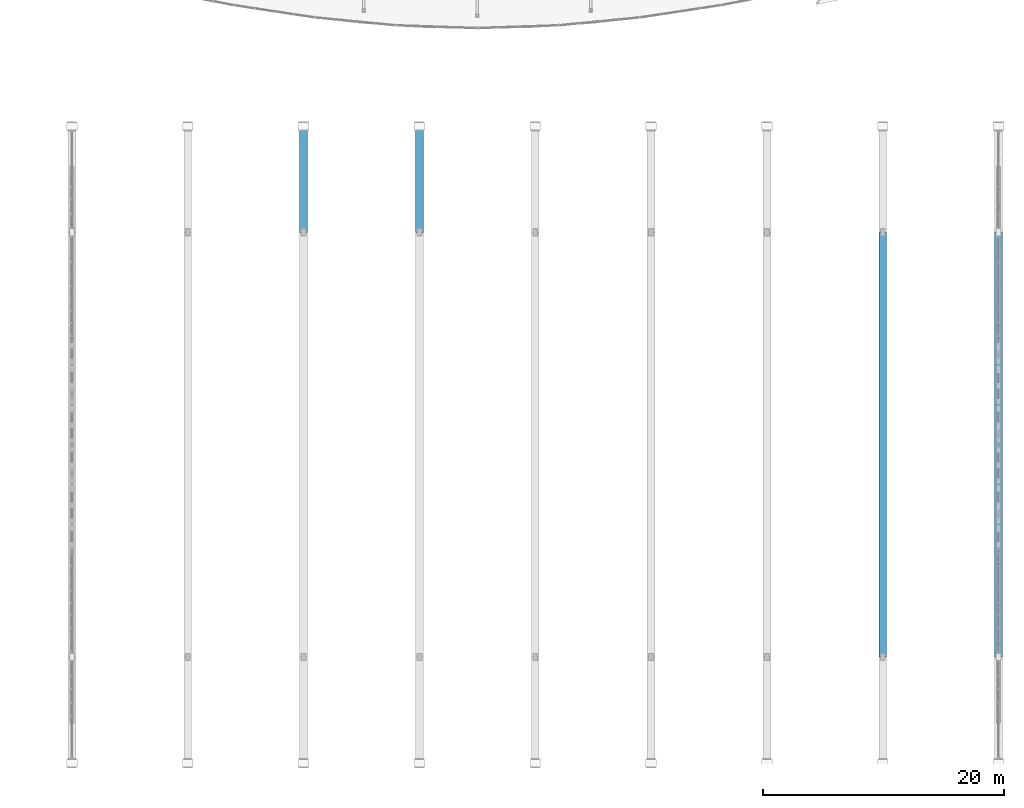
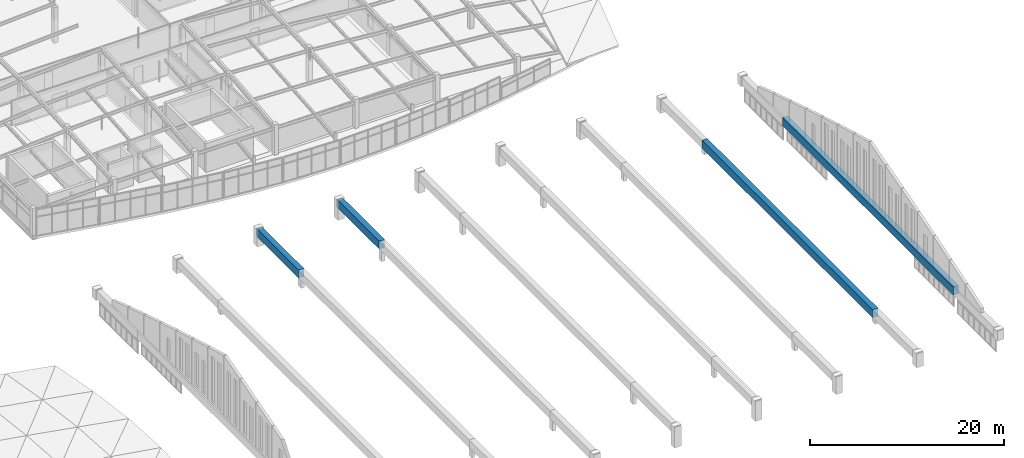
# One storey, part 21 of 65: 4 beams.
"""IFC4 building model written with IfcOpenShell, lengths in metres."""

from ifc_helpers import new_model, si_unit, direction, frame, origin, origin_2d, place, context, subcontext, project, spatial, rectangle, extrude, material, material_profile, profile_set, type_object, element, save


model = new_model("IFC4")

# Units and contexts
model_context = context("Model", 3, precision=1e-05, world=origin(), true_north=direction((0.0, 1.0)))
body_context = subcontext(model_context, "Body", "Model", "MODEL_VIEW")
ifc_project = project(units=[si_unit("LENGTHUNIT", "METRE"), si_unit("AREAUNIT", "SQUARE_METRE"), si_unit("VOLUMEUNIT", "CUBIC_METRE"), si_unit("PLANEANGLEUNIT", "RADIAN"), si_unit("MASSUNIT", "GRAM", prefix="KILO")], contexts=[model_context])

# Site, building, storey
site_placement = place(None, origin())
site = spatial("IfcSite", under=ifc_project, at=site_placement, CompositionType="ELEMENT")
building_placement = place(site_placement, origin())
building = spatial("IfcBuilding", under=site, at=building_placement, Name="Chalmorin Arch Market", CompositionType="ELEMENT")
storey_placement = place(building_placement, frame((0.0, 0.0, 14.10009765625)))
storey = spatial("IfcBuildingStorey", under=building, at=storey_placement, Name="L03", CompositionType="ELEMENT", Elevation=14.10009765625)

# Beams
ifc_material = material(Name="Concrete C50/60", Category="concrete")
ifc_material_profile = material_profile(ifc_material, rectangle(XDim=0.64990234375, YDim=1.0, at=origin_2d()), Name="RC650X1000")
ifc_profile_set = profile_set([ifc_material_profile], Name="Concrete C50/60")
beam_type = type_object("IfcBeamType", Name="ArchTieGirder-650x1000", PredefinedType="BEAM", material=ifc_profile_set)
for number, where, z_axis, x_axis, name in (
    (1, (67.199951171875, 50.0, 1.654541015625), (0.0, 1.0, 0.0), (-1.0, 0.0, 0.0), "ATG-01-1641"),
    (2, (76.800048828125, 50.0, 1.947021484375), (0.0, 1.0, 0.0), (-1.0, 0.0, 0.0), "ATG-01-1660"),
):
    element("IfcBeam", number, at=place(storey_placement, frame(where, z_axis=z_axis, x_axis=x_axis)), inside=storey, type_object=beam_type, Name=name, PredefinedType="BEAM", context=body_context, shape_type="SweptSolid", body=[
        extrude(rectangle(XDim=0.64990234375, YDim=1.0, at=origin_2d()), origin(), (0.0, 0.0, 1.0), 8.800048828125),
    ])
for number, where, z_axis, x_axis, name in (
    (3, (115.199951171875, 14.800048828125, 1.216552734375), (0.0, 1.0, 0.0), (-1.0, 0.0, 0.0), "ATG-01-1735"),
    (4, (124.800048828125, 14.800048828125, 0.699951171875), (0.0, 1.0, 0.0), (-1.0, 0.0, 0.0), "ATG-01-1754"),
):
    element("IfcBeam", number, at=place(storey_placement, frame(where, z_axis=z_axis, x_axis=x_axis)), inside=storey, type_object=beam_type, Name=name, PredefinedType="BEAM", context=body_context, shape_type="SweptSolid", body=[
        extrude(rectangle(XDim=0.64990234375, YDim=1.0, at=origin_2d()), origin(), (0.0, 0.0, 1.0), 35.199951171875),
    ])

save(model, "model.ifc")
